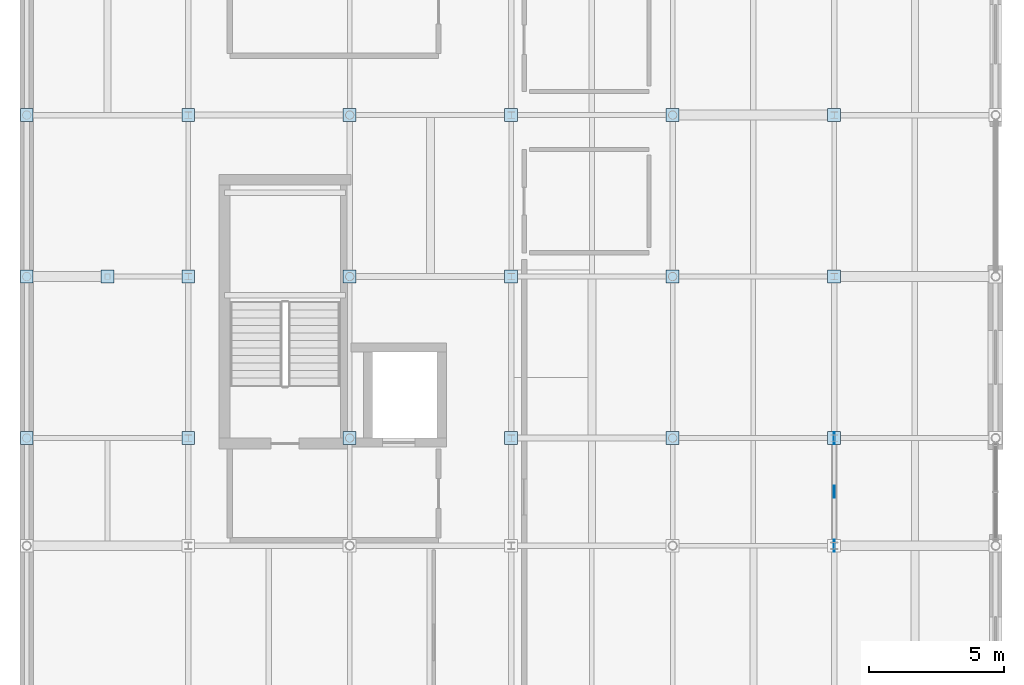
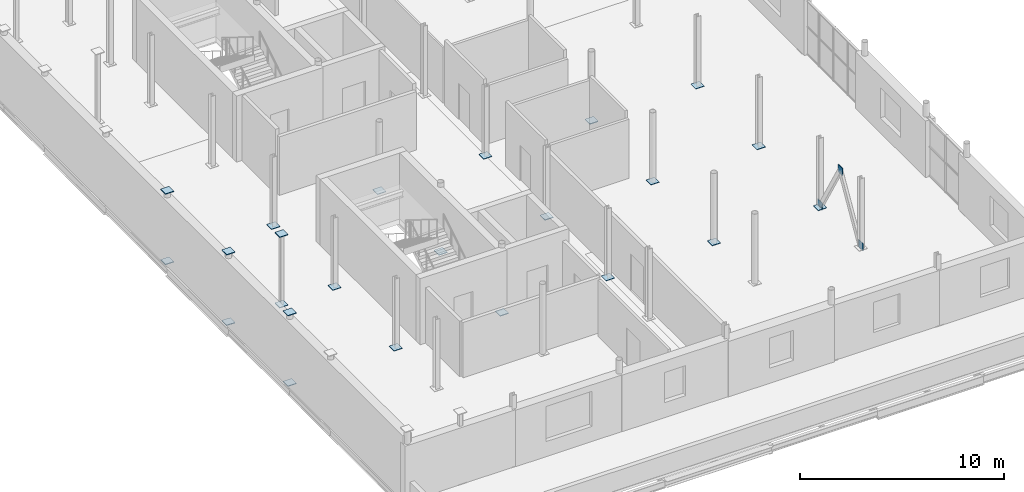
# One storey, part 23 of 30: 26 plates.
"""IFC4 building model written with IfcOpenShell, lengths in metres."""

from ifc_helpers import new_model, si_unit, direction, frame, origin, origin_2d, place, context, subcontext, project, spatial, rectangle, extrude, material, layer, layer_set, type_object, element, save


model = new_model("IFC4")

# Units and contexts
model_context = context("Model", 3, precision=1e-05, world=origin(), true_north=direction((0.0, 1.0)))
body_context = subcontext(model_context, "Body", "Model", "MODEL_VIEW")
ifc_project = project(units=[si_unit("LENGTHUNIT", "METRE"), si_unit("AREAUNIT", "SQUARE_METRE"), si_unit("VOLUMEUNIT", "CUBIC_METRE"), si_unit("PLANEANGLEUNIT", "RADIAN"), si_unit("MASSUNIT", "GRAM", prefix="KILO")], contexts=[model_context])

# Site, building, storey
site_placement = place(None, origin())
site = spatial("IfcSite", under=ifc_project, at=site_placement, CompositionType="ELEMENT")
building_placement = place(site_placement, origin())
building = spatial("IfcBuilding", under=site, at=building_placement, Name="Verrall Gate Interchange", CompositionType="ELEMENT")
storey_placement = place(building_placement, frame((0.0, 0.0, 19.39990234375)))
storey = spatial("IfcBuildingStorey", under=building, at=storey_placement, Name="L05", CompositionType="ELEMENT", Elevation=19.39990234375)

# Plates
ifc_material_1 = material(Name="Structural Steel CSA G40.21 350WT Cat 4", Category="steel")
ifc_layer_1 = layer(ifc_material_1, 0.0400390625)
ifc_layer_set_1 = layer_set([ifc_layer_1], Name="Structural Steel CSA G40.21 350WT Cat 4")
plate_type_1 = type_object("IfcPlateType", Name="BP-01 Base Plate 40", PredefinedType="USERDEFINED", material=ifc_layer_set_1)
for number, where, z_axis, x_axis, name in (
    (1, (0.0, 16.0, -0.02001953125), (0.0, 0.0, 1.0), (1.0, 0.0, 0.0), "L05 Hollow Column Transition Cap Plate 0028"),
    (2, (0.0, 16.0, 4.2001953125), (0.0, 0.0, 1.0), (1.0, 0.0, 0.0), "L05 Hollow Column Top Cap Plate 0029"),
    (3, (0.0, 22.0, -0.02001953125), (0.0, 0.0, 1.0), (1.0, 0.0, 0.0), "L05 Hollow Column Transition Cap Plate 0035"),
    (4, (0.0, 22.0, 4.2001953125), (0.0, 0.0, 1.0), (1.0, 0.0, 0.0), "L05 Hollow Column Top Cap Plate 0036"),
    (5, (0.0, 28.0, -0.02001953125), (0.0, 0.0, 1.0), (1.0, 0.0, 0.0), "L05 Hollow Column Transition Cap Plate 0042"),
    (6, (0.0, 28.0, 4.2001953125), (0.0, 0.0, 1.0), (1.0, 0.0, 0.0), "L05 Hollow Column Top Cap Plate 0043"),
    (7, (3.0, 22.0, -0.02001953125), (0.0, 0.0, 1.0), (1.0, 0.0, 0.0), "L05 Hollow Column Transition Cap Plate 0113"),
    (8, (3.0, 22.0, 4.2001953125), (0.0, 0.0, 1.0), (1.0, 0.0, 0.0), "L05 Hollow Column Top Cap Plate 0114"),
    (9, (6.0, 16.0, -0.02001953125), (0.0, 0.0, 1.0), (1.0, 0.0, 0.0), "L05 Hollow Column Transition Cap Plate 0159"),
    (10, (6.0, 22.0, -0.02001953125), (0.0, 0.0, 1.0), (1.0, 0.0, 0.0), "L05 Hollow Column Transition Cap Plate 0168"),
    (11, (6.0, 28.0, -0.02001953125), (0.0, 0.0, 1.0), (1.0, 0.0, 0.0), "L05 Hollow Column Transition Cap Plate 0177"),
    (12, (12.0, 16.0, -0.02001953125), (0.0, 0.0, 1.0), (1.0, 0.0, 0.0), "L05 Hollow Column Transition Cap Plate 0276"),
    (13, (12.0, 22.0, -0.02001953125), (0.0, 0.0, 1.0), (1.0, 0.0, 0.0), "L05 Hollow Column Transition Cap Plate 0285"),
    (14, (12.0, 28.0, -0.02001953125), (0.0, 0.0, 1.0), (1.0, 0.0, 0.0), "L05 Hollow Column Transition Cap Plate 0294"),
    (15, (18.0, 16.0, -0.02001953125), (0.0, 0.0, 1.0), (1.0, 0.0, 0.0), "L05 Hollow Column Transition Cap Plate 0393"),
    (16, (18.0, 22.0, -0.02001953125), (0.0, 0.0, 1.0), (1.0, 0.0, 0.0), "L05 Hollow Column Transition Cap Plate 0402"),
    (17, (18.0, 28.0, -0.02001953125), (0.0, 0.0, 1.0), (1.0, 0.0, 0.0), "L05 Hollow Column Transition Cap Plate 0411"),
    (18, (24.0, 16.0, -0.02001953125), (0.0, 0.0, 1.0), (1.0, 0.0, 0.0), "L05 Hollow Column Transition Cap Plate 0510"),
    (19, (24.0, 22.0, -0.02001953125), (0.0, 0.0, 1.0), (1.0, 0.0, 0.0), "L05 Hollow Column Transition Cap Plate 0519"),
    (20, (24.0, 28.0, -0.02001953125), (0.0, 0.0, 1.0), (1.0, 0.0, 0.0), "L05 Hollow Column Transition Cap Plate 0528"),
    (21, (30.0, 16.0, -0.02001953125), (0.0, 0.0, 1.0), (1.0, 0.0, 0.0), "L05 Hollow Column Transition Cap Plate 0627"),
    (22, (30.0, 22.0, -0.02001953125), (0.0, 0.0, 1.0), (1.0, 0.0, 0.0), "L05 Hollow Column Transition Cap Plate 0636"),
    (23, (30.0, 28.0, -0.02001953125), (0.0, 0.0, 1.0), (1.0, 0.0, 0.0), "L05 Hollow Column Transition Cap Plate 0645"),
):
    element("IfcPlate", number, at=place(storey_placement, frame(where, z_axis=z_axis, x_axis=x_axis)), inside=storey, type_object=plate_type_1, Name=name, ObjectType="BASE_PLATE", PredefinedType="USERDEFINED", context=body_context, shape_type="SweptSolid", body=[
        extrude(rectangle(XDim=0.47998046875, YDim=0.47998046875, at=origin_2d()), origin(), (0.0, 0.0, 1.0), 0.0400390625),
    ])
ifc_material_2 = material(Name="Structural Steel CSA G40.21 350WT Cat 4", Category="steel")
ifc_layer_2 = layer(ifc_material_2, 0.030029296875)
ifc_layer_set_2 = layer_set([ifc_layer_2], Name="Structural Steel CSA G40.21 350WT Cat 4")
plate_type_2 = type_object("IfcPlateType", Name="GP-02 Gusset Plate 30", PredefinedType="SHEET", material=ifc_layer_set_2)
for number, where, z_axis, x_axis, name in (
    (24, (30.0, 12.0, -0.0849609375), (0.0, 0.0, 1.0), (1.0, 0.0, 0.0), "Chevron Brace Gusset Node CBF5-L05-BA"),
    (25, (30.0, 16.0, -0.0849609375), (0.0, 0.0, 1.0), (1.0, 0.0, 0.0), "Chevron Brace Gusset Node CBF5-L05-BB"),
    (26, (30.0, 14.0, 3.1953125), (0.0, 0.0, 1.0), (1.0, 0.0, 0.0), "Chevron Brace Gusset Node CBF5-L05-AP"),
):
    element("IfcPlate", number, at=place(storey_placement, frame(where, z_axis=z_axis, x_axis=x_axis)), inside=storey, type_object=plate_type_2, Name=name, PredefinedType="SHEET", context=body_context, shape_type="SweptSolid", body=[
        extrude(rectangle(XDim=0.030029296875, YDim=0.449951171875, at=origin_2d()), origin(), (0.0, 0.0, 1.0), 0.449951171875),
    ])

save(model, "model.ifc")
